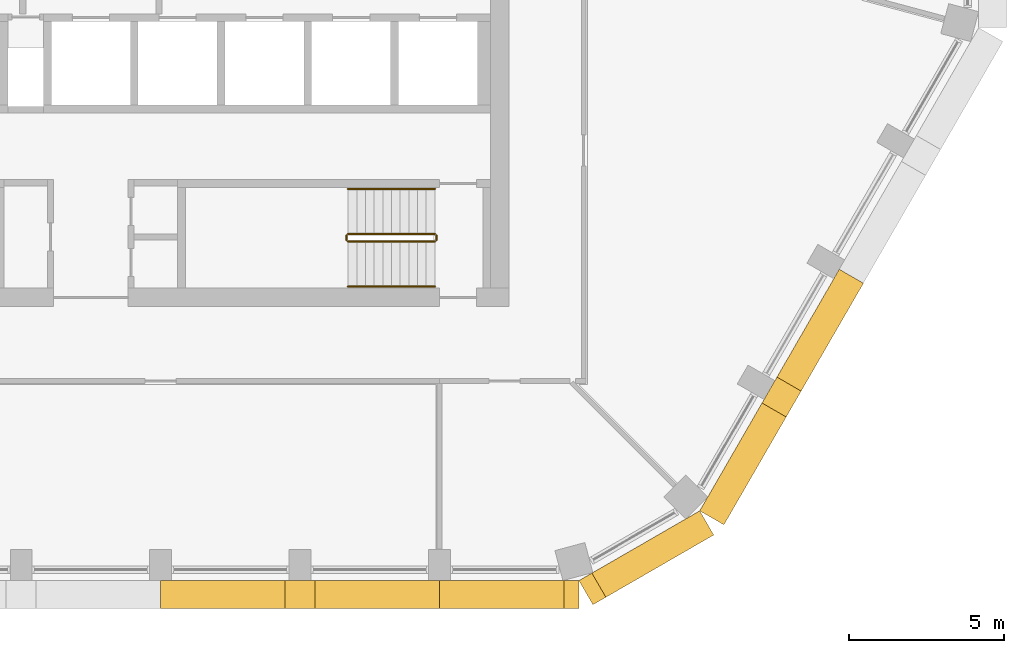
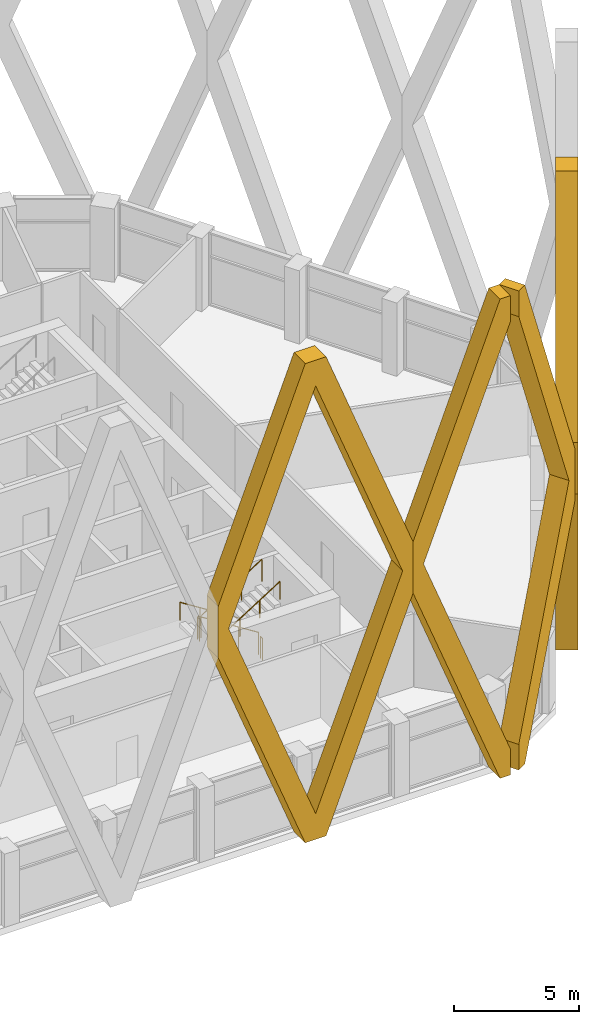
# One storey, part 16 of 20: 6 railings, 4 coverings.
"""IFC4 building model written with IfcOpenShell, lengths in metres."""

from ifc_helpers import new_model, si_unit, direction, frame, origin, origin_2d, place, context, subcontext, project, spatial, polyline, circle, outline, extrude, material, type_object, element, save


model = new_model("IFC4")

# Units and contexts
model_context = context("Model", 3, precision=1e-05, world=origin(), true_north=direction((0.0, 1.0)))
body_context = subcontext(model_context, "Body", "Model", "MODEL_VIEW")
ifc_project = project(units=[si_unit("LENGTHUNIT", "METRE"), si_unit("AREAUNIT", "SQUARE_METRE"), si_unit("VOLUMEUNIT", "CUBIC_METRE"), si_unit("PLANEANGLEUNIT", "RADIAN"), si_unit("MASSUNIT", "GRAM", prefix="KILO")], contexts=[model_context])

# Site, building, storey
site_placement = place(None, origin())
site = spatial("IfcSite", under=ifc_project, at=site_placement, CompositionType="ELEMENT")
building_placement = place(site_placement, origin())
building = spatial("IfcBuilding", under=site, at=building_placement, Name="Dhurran Vertical Campus", CompositionType="ELEMENT")
storey_placement = place(building_placement, frame((0.0, 0.0, 235.199951171875)))
storey = spatial("IfcBuildingStorey", under=building, at=storey_placement, Name="L58", CompositionType="ELEMENT", Elevation=235.199951171875)

# Coverings
ifc_material_1 = material(Name="Precast concrete C50/60", Category="concrete")
covering_type = type_object("IfcCoveringType", Name="Folded precast fin lattice diamond", PredefinedType="USERDEFINED", material=ifc_material_1)
covering_1_placement = place(storey_placement, frame((2.25, -20.08837890625, 0.0), z_axis=(0.0, -1.0, 0.0), x_axis=(1.0, 0.0, 0.0)))
element("IfcCovering", 1, at=covering_1_placement, inside=storey, type_object=covering_type, Name="FN1 L58.003", ObjectType="FIN", PredefinedType="USERDEFINED", context=body_context, shape_type="SweptSolid", body=[
    extrude(outline(polyline([(9.0, 12.95361328125), (9.0, 10.4462890625), (4.982177734375, 0.0), (4.017822265625, 0.0), (0.0, 10.4462890625), (0.0, 12.95361328125), (4.017822265625, 23.39990234375), (4.982177734375, 23.39990234375), (9.0, 12.95361328125)]), holes=[polyline([(8.517822265625, 11.699951171875), (4.5, 22.146484375), (0.482177734375, 11.699951171875), (4.5, 1.253662109375), (8.517822265625, 11.699951171875)])]), origin(), (0.0, 0.0, 1.0), 0.900146484375),
])
covering_2_placement = place(storey_placement, frame((11.25, -20.08837890625, 0.0), z_axis=(0.0, -1.0, 0.0), x_axis=(1.0, 0.0, 0.0)))
element("IfcCovering", 2, at=covering_2_placement, inside=storey, type_object=covering_type, Name="FN1 L58.004", ObjectType="FIN", PredefinedType="USERDEFINED", context=body_context, shape_type="SweptSolid", body=[
    extrude(outline(polyline([(4.017822265625, 0.0), (0.0, 10.4462890625), (0.0, 12.95361328125), (4.017822265625, 23.39990234375), (4.5, 23.39990234375), (4.5, 22.146484375), (0.482177734375, 11.699951171875), (4.5, 1.253662109375), (4.5, 0.0), (4.017822265625, 0.0)])), origin(), (0.0, 0.0, 1.0), 0.900146484375),
])
covering_3_placement = place(storey_placement, frame((15.75, -20.08837890625, 0.0), z_axis=(0.499902469156, -0.866081705922, 0.0), x_axis=(0.866081705922, 0.499902469156, 0.0)))
element("IfcCovering", 3, at=covering_3_placement, inside=storey, type_object=covering_type, Name="FN1 L58.005", ObjectType="FIN", PredefinedType="USERDEFINED", context=body_context, shape_type="SweptSolid", body=[
    extrude(outline(polyline([(4.5, 10.4462890625), (0.482177734375, 0.0), (0.0, 0.0), (0.0, 1.253662109375), (4.017822265625, 11.699951171875), (0.0, 22.146484375), (0.0, 23.39990234375), (0.482177734375, 23.39990234375), (4.5, 12.95361328125), (4.5, 10.4462890625)])), origin(), (0.0, 0.0, 1.0), 0.900146484375),
])
covering_4_placement = place(storey_placement, frame((19.647216796875, -17.83837890625, 0.0), z_axis=(0.865896406789, -0.500223362819, 0.0), x_axis=(0.500223362819, 0.865896406789, 0.0)))
element("IfcCovering", 4, at=covering_4_placement, inside=storey, type_object=covering_type, Name="FN1 L58.006", ObjectType="FIN", PredefinedType="USERDEFINED", context=body_context, shape_type="SweptSolid", body=[
    extrude(outline(polyline([(9.0, 12.95361328125), (9.0, 10.4462890625), (4.982177734375, 0.0), (4.017822265625, 0.0), (0.0, 10.4462890625), (0.0, 12.95361328125), (4.017822265625, 23.39990234375), (4.982177734375, 23.39990234375), (9.0, 12.95361328125)]), holes=[polyline([(8.517822265625, 11.699951171875), (4.5, 22.146484375), (0.482177734375, 11.699951171875), (4.5, 1.253662109375), (8.517822265625, 11.699951171875)])]), origin(), (0.0, 0.0, 1.0), 0.89990234375),
])

# Railings
ifc_material_2 = material(Name="Stainless steel balustrade", Category="steel")
railing_type_1 = type_object("IfcRailingType", Name="co-RL-GUARD-1100", PredefinedType="GUARDRAIL", material=ifc_material_2)
railing_1_placement = place(storey_placement, frame((11.10009765625, -8.89990234375, 0.17724609375)))
element("IfcRailing", 5, at=railing_1_placement, inside=storey, type_object=railing_type_1, Name="L58 ST4 stair guard 1", PredefinedType="GUARDRAIL", context=body_context, shape_type="SweptSolid", body=[
    extrude(circle(Radius=0.02392578125, at=origin_2d()), frame((0.0, 0.0, 1.076171875), z_axis=(-0.844908973607, 0.0, 0.534910110503), x_axis=(0.0, -1.0, 0.0)), (0.0, 0.0, 1.0), 3.31396484375),
    extrude(circle(Radius=0.02099609375, at=origin_2d()), origin(), (0.0, 0.0, 1.0), 1.052001953125),
    extrude(circle(Radius=0.02099609375, at=origin_2d()), frame((-0.933349609375, 0.0, 0.5908203125)), (0.0, 0.0, 1.0), 1.052001953125),
    extrude(circle(Radius=0.02099609375, at=origin_2d()), frame((-1.86669921875, 0.0, 1.181884765625)), (0.0, 0.0, 1.0), 1.052001953125),
    extrude(circle(Radius=0.02099609375, at=origin_2d()), frame((-2.800048828125, 0.0, 1.772705078125)), (0.0, 0.0, 1.0), 1.052001953125),
])
railing_2_placement = place(storey_placement, frame((8.25, -8.949951171875, 1.949951171875)))
element("IfcRailing", 6, at=railing_2_placement, inside=storey, type_object=railing_type_1, Name="L58 ST4 stair guard 2", PredefinedType="GUARDRAIL", context=body_context, shape_type="SweptSolid", body=[
    extrude(circle(Radius=0.02392578125, at=origin_2d()), frame((0.0, 0.0, 1.076171875), z_axis=(0.0, -1.0, 0.0), x_axis=(1.0, 0.0, 0.0)), (0.0, 0.0, 1.0), 0.150146484375),
    extrude(circle(Radius=0.02099609375, at=origin_2d()), origin(), (0.0, 0.0, 1.0), 1.052001953125),
    extrude(circle(Radius=0.02099609375, at=origin_2d()), frame((0.0, -0.150146484375, 0.0)), (0.0, 0.0, 1.0), 1.052001953125),
])
railing_3_placement = place(storey_placement, frame((8.300048828125, -9.14990234375, 2.12744140625)))
element("IfcRailing", 7, at=railing_3_placement, inside=storey, type_object=railing_type_1, Name="L58 ST4 stair guard 3", PredefinedType="GUARDRAIL", context=body_context, shape_type="SweptSolid", body=[
    extrude(circle(Radius=0.02392578125, at=origin_2d()), frame((0.0, 0.0, 1.076171875), z_axis=(0.844908973607, 0.0, 0.534910110503), x_axis=(0.0, 1.0, 0.0)), (0.0, 0.0, 1.0), 3.31396484375),
    extrude(circle(Radius=0.02099609375, at=origin_2d()), origin(), (0.0, 0.0, 1.0), 1.052001953125),
    extrude(circle(Radius=0.02099609375, at=origin_2d()), frame((0.933349609375, 0.0, 0.5908203125)), (0.0, 0.0, 1.0), 1.052001953125),
    extrude(circle(Radius=0.02099609375, at=origin_2d()), frame((1.86669921875, 0.0, 1.181884765625)), (0.0, 0.0, 1.0), 1.052001953125),
    extrude(circle(Radius=0.02099609375, at=origin_2d()), frame((2.800048828125, 0.0, 1.772705078125)), (0.0, 0.0, 1.0), 1.052001953125),
])
railing_4_placement = place(storey_placement, frame((11.14990234375, -8.949951171875, 0.0)))
element("IfcRailing", 8, at=railing_4_placement, inside=storey, type_object=railing_type_1, Name="L58 ST4 stair guard 4", PredefinedType="GUARDRAIL", context=body_context, shape_type="SweptSolid", body=[
    extrude(circle(Radius=0.02392578125, at=origin_2d()), frame((0.0, 0.0, 1.076171875), z_axis=(0.0, -1.0, 0.0), x_axis=(1.0, 0.0, 0.0)), (0.0, 0.0, 1.0), 0.150146484375),
    extrude(circle(Radius=0.02099609375, at=origin_2d()), origin(), (0.0, 0.0, 1.0), 1.052001953125),
    extrude(circle(Radius=0.02099609375, at=origin_2d()), frame((0.0, -0.150146484375, 0.0)), (0.0, 0.0, 1.0), 1.052001953125),
])
ifc_material_3 = material(Name="Stainless steel handrail", Category="steel")
railing_type_2 = type_object("IfcRailingType", Name="co-RL-HANDRAIL-900", PredefinedType="HANDRAIL", material=ifc_material_3)
railing_5_placement = place(storey_placement, frame((11.10009765625, -7.449951171875, 0.17724609375)))
element("IfcRailing", 9, at=railing_5_placement, inside=storey, type_object=railing_type_2, Name="L58 ST4 stair handrail 1", PredefinedType="HANDRAIL", context=body_context, shape_type="SweptSolid", body=[
    extrude(circle(Radius=0.02392578125, at=origin_2d()), frame((0.0, 0.0, 0.8759765625), z_axis=(-0.844908973607, 0.0, 0.534910110503), x_axis=(0.0, -1.0, 0.0)), (0.0, 0.0, 1.0), 3.31396484375),
    extrude(circle(Radius=0.02099609375, at=origin_2d()), origin(), (0.0, 0.0, 1.0), 0.851806640625),
    extrude(circle(Radius=0.02099609375, at=origin_2d()), frame((-0.933349609375, 0.0, 0.5908203125)), (0.0, 0.0, 1.0), 0.851806640625),
    extrude(circle(Radius=0.02099609375, at=origin_2d()), frame((-1.86669921875, 0.0, 1.181884765625)), (0.0, 0.0, 1.0), 0.851806640625),
    extrude(circle(Radius=0.02099609375, at=origin_2d()), frame((-2.800048828125, 0.0, 1.772705078125)), (0.0, 0.0, 1.0), 0.851806640625),
])
railing_6_placement = place(storey_placement, frame((8.300048828125, -10.60009765625, 2.12744140625)))
element("IfcRailing", 10, at=railing_6_placement, inside=storey, type_object=railing_type_2, Name="L58 ST4 stair handrail 2", PredefinedType="HANDRAIL", context=body_context, shape_type="SweptSolid", body=[
    extrude(circle(Radius=0.02392578125, at=origin_2d()), frame((0.0, 0.0, 0.8759765625), z_axis=(0.844908973607, 0.0, 0.534910110503), x_axis=(0.0, 1.0, 0.0)), (0.0, 0.0, 1.0), 3.31396484375),
    extrude(circle(Radius=0.02099609375, at=origin_2d()), origin(), (0.0, 0.0, 1.0), 0.851806640625),
    extrude(circle(Radius=0.02099609375, at=origin_2d()), frame((0.933349609375, 0.0, 0.5908203125)), (0.0, 0.0, 1.0), 0.851806640625),
    extrude(circle(Radius=0.02099609375, at=origin_2d()), frame((1.86669921875, 0.0, 1.181884765625)), (0.0, 0.0, 1.0), 0.851806640625),
    extrude(circle(Radius=0.02099609375, at=origin_2d()), frame((2.800048828125, 0.0, 1.772705078125)), (0.0, 0.0, 1.0), 0.851806640625),
])

save(model, "model.ifc")
